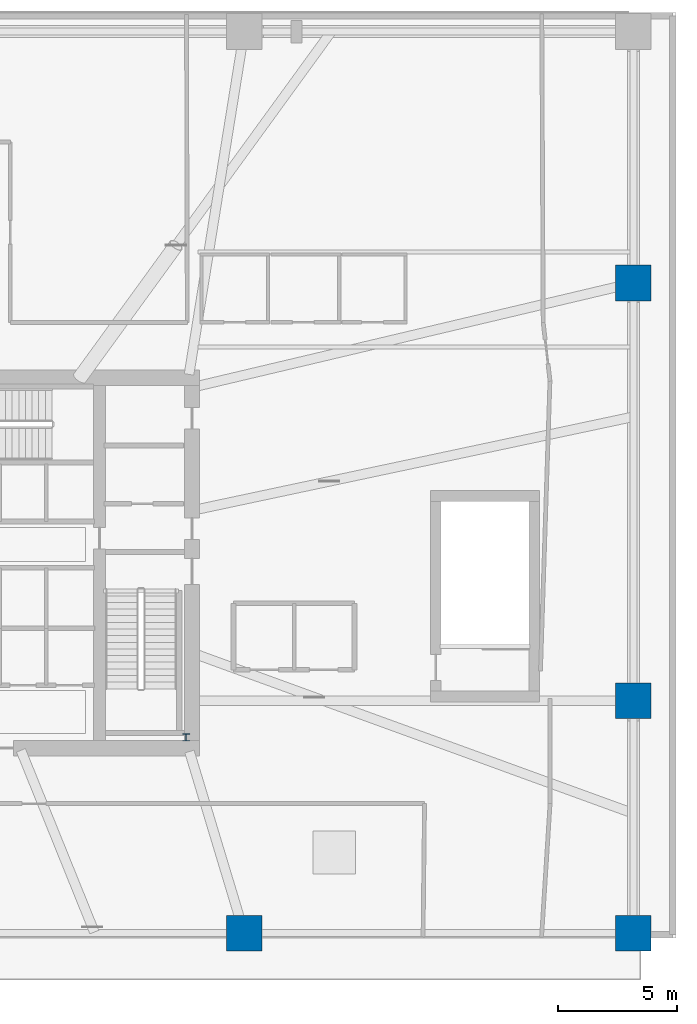
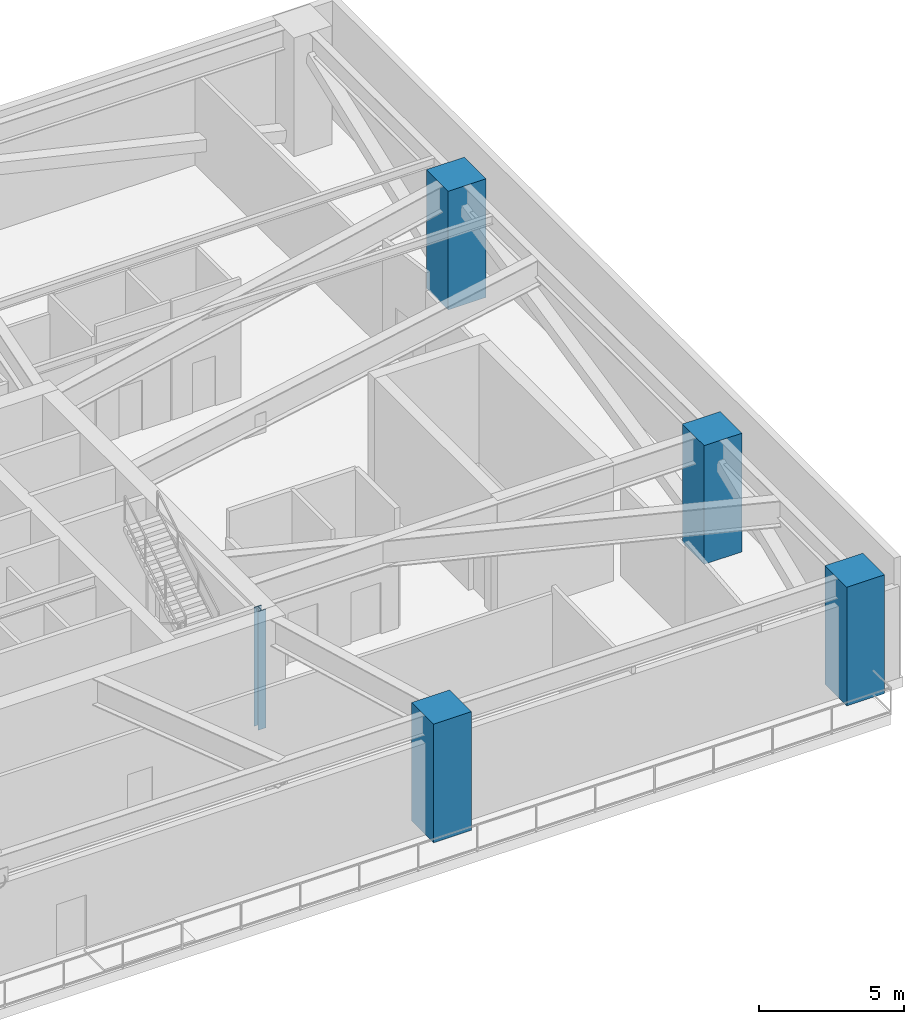
# One storey, part 2 of 10: 5 columns.
"""IFC4 building model written with IfcOpenShell, lengths in metres."""

import ifcopenshell
import ifcopenshell.guid

model = None  # the IFC model being written
_history = None  # IfcOwnerHistory: only IFC2X3 demands one
_inside = {}  # id of a spatial element -> (the spatial element, [elements in it])
_under = {}  # id of a project, library or spatial element -> (it, [spatial elements below it])
_declared = {}  # id of a project -> (the project, [libraries it declares])
_typed = {}  # id of a type object -> (the type object, [elements of that type])
_made_of = {}  # id of a material, layer set ... -> (it, [elements and type objects made of it])


def new_model(schema):
    """Start an empty IFC model of exactly this schema.

    Asked for "IFC4X3", IfcOpenShell would pick the latest addendum, in which some entities
    have other attributes; the version numbers below select the first issue.
    IFC2X3 requires an IfcOwnerHistory on every rooted entity: one is made here for all.
    """
    global model, _history
    if schema == "IFC4X3":
        model = ifcopenshell.file(schema_version=(4, 3, 0, 0))
    else:
        model = ifcopenshell.file(schema=schema)
    _inside.clear()
    _under.clear()
    _declared.clear()
    _typed.clear()
    _made_of.clear()
    _history = None
    if model.schema == "IFC2X3":
        org = make("IfcOrganization", Name="unknown")
        user = make(
            "IfcPersonAndOrganization",
            ThePerson=make("IfcPerson", FamilyName="unknown"),
            TheOrganization=org,
        )
        app = make(
            "IfcApplication",
            ApplicationDeveloper=org,
            Version="unknown",
            ApplicationFullName="unknown",
            ApplicationIdentifier="unknown",
        )
        _history = make(
            "IfcOwnerHistory",
            OwningUser=user,
            OwningApplication=app,
            ChangeAction="ADDED",
            CreationDate=0,
        )
    return model


def make(cls, **values):
    """One entity of the class cls with the attributes given. An attribute that is None is left unset."""
    return model.create_entity(
        cls, **{name: value for name, value in values.items() if value is not None}
    )


def rooted(cls, **values):
    """An entity with a GlobalId (a new one), such as an element, a storey or a relation."""
    return make(cls, GlobalId=ifcopenshell.guid.new(), OwnerHistory=_history, **values)


def si_unit(unit_type, name, prefix=None):
    """IfcSIUnit, for example si_unit("LENGTHUNIT", "METRE", prefix="MILLI")."""
    return make("IfcSIUnit", UnitType=unit_type, Prefix=prefix, Name=name)


def assignment(units):
    """IfcUnitAssignment: the units of a project."""
    return None if units is None else make("IfcUnitAssignment", Units=units)


def point(xyz):
    """IfcCartesianPoint."""
    return None if xyz is None else make("IfcCartesianPoint", Coordinates=xyz)


def direction(xyz):
    """IfcDirection."""
    return None if xyz is None else make("IfcDirection", DirectionRatios=xyz)


def frame(location, z_axis=None, x_axis=None):
    """IfcAxis2Placement3D, a coordinate frame: its origin and axes. An axis left out is left unset."""
    return make(
        "IfcAxis2Placement3D",
        Location=point(location),
        Axis=direction(z_axis),
        RefDirection=direction(x_axis),
    )


def frame_2d(location, x_axis=None):
    """IfcAxis2Placement2D, a coordinate frame in the plane: its origin and x axis."""
    return make(
        "IfcAxis2Placement2D", Location=point(location), RefDirection=direction(x_axis)
    )


def origin():
    """The frame at (0, 0, 0) with its axes left unset."""
    return frame((0.0, 0.0, 0.0))


def origin_2d():
    """The frame at (0, 0) in the plane with its x axis left unset."""
    return frame_2d((0.0, 0.0))


def place(relative_to, where):
    """IfcLocalPlacement: puts the frame where relative to a parent placement (None: the world)."""
    return make(
        "IfcLocalPlacement", PlacementRelTo=relative_to, RelativePlacement=where
    )


def context(
    kind, dimensions, precision=None, world=None, true_north=None, identifier=None
):
    """IfcGeometricRepresentationContext, for example the 3D "Model" context."""
    return make(
        "IfcGeometricRepresentationContext",
        ContextIdentifier=identifier,
        ContextType=kind,
        CoordinateSpaceDimension=dimensions,
        Precision=precision,
        WorldCoordinateSystem=world,
        TrueNorth=true_north,
    )


def subcontext(parent, identifier, kind, view, scale=None):
    """IfcGeometricRepresentationSubContext, for example "Body" below "Model"."""
    return make(
        "IfcGeometricRepresentationSubContext",
        ContextIdentifier=identifier,
        ContextType=kind,
        ParentContext=parent,
        TargetScale=scale,
        TargetView=view,
    )


def project(units=None, contexts=None):
    """IfcProject with its units and contexts."""
    return rooted(
        "IfcProject",
        Name="project",
        RepresentationContexts=contexts,
        UnitsInContext=assignment(units),
    )


def spatial(cls, under=None, at=None, **own):
    """A site, building, storey or space (cls), placed at a placement, below another one or the project."""
    s = rooted(cls, ObjectPlacement=at, **own)
    if under is not None:
        _under.setdefault(under.id(), (under, []))[1].append(s)
    return s


def profile(cls, at=None, kind="AREA", **sizes):
    """A parametric profile (cls). Its sizes go by their IFC names, for example OverallWidth=200.0."""
    return make(cls, ProfileType=kind, Position=at, **sizes)


def rectangle(**sizes):
    """IfcRectangleProfileDef."""
    return profile("IfcRectangleProfileDef", **sizes)


def i_section(**sizes):
    """IfcIShapeProfileDef."""
    return profile("IfcIShapeProfileDef", **sizes)


def extrude(swept, where, along, depth):
    """IfcExtrudedAreaSolid: the profile swept, set in the frame where, extruded along a direction by depth."""
    return make(
        "IfcExtrudedAreaSolid",
        SweptArea=swept,
        Position=where,
        ExtrudedDirection=direction(along),
        Depth=depth,
    )


def shape(context_of_items, identifier, shape_type, items):
    """IfcShapeRepresentation: the items that make up one representation, for example the "Body"."""
    return make(
        "IfcShapeRepresentation",
        ContextOfItems=context_of_items,
        RepresentationIdentifier=identifier,
        RepresentationType=shape_type,
        Items=items,
    )


def material(Name=None, Category=None):
    """IfcMaterial."""
    return make("IfcMaterial", Name=Name, Category=Category)


def material_profile(
    of_material, cross_section, Name=None, Category=None, Priority=None
):
    """IfcMaterialProfile: a cross section and its material."""
    return make(
        "IfcMaterialProfile",
        Name=Name,
        Material=of_material,
        Profile=cross_section,
        Priority=Priority,
        Category=Category,
    )


def profile_set(profiles, Name=None, composite=None):
    """IfcMaterialProfileSet."""
    return make(
        "IfcMaterialProfileSet",
        Name=Name,
        MaterialProfiles=profiles,
        CompositeProfile=composite,
    )


def made_of(thing, what):
    """Note that an element or type object is made of a material, layer set ...; save() writes the relation."""
    if what is not None:
        _made_of.setdefault(what.id(), (what, []))[1].append(thing)
    return thing


def type_object(cls, material=None, **own):
    """A type object (cls), such as IfcWallType, which elements share."""
    return made_of(rooted(cls, **own), material)


def element(
    cls,
    number,
    at=None,
    inside=None,
    cuts=None,
    type_object=None,
    material=None,
    context=None,
    identifier="Body",
    shape_type=None,
    held_by="IfcProductDefinitionShape",
    body=None,
    shapes=None,
    **own,
):
    """One element of the class cls, such as IfcWall. Its Tag is "e" and its number.

    at: its placement. inside: the storey or other place that contains it. cuts: it is an
    opening in that element (IfcRelVoidsElement). A single representation is given by context,
    identifier, shape_type and body (its items); several are given by shapes. held_by: the class
    of the entity that holds the representations. save() writes the other relations.
    """
    e = rooted(cls, Tag="e%d" % number, ObjectPlacement=at, **own)
    if body is not None:
        shapes = [shape(context, identifier, shape_type, body)]
    if shapes is not None:
        e.Representation = make(held_by, Representations=shapes)
    if inside is not None:
        _inside.setdefault(inside.id(), (inside, []))[1].append(e)
    if cuts is not None:
        rooted(
            "IfcRelVoidsElement", RelatingBuildingElement=cuts, RelatedOpeningElement=e
        )
    if type_object is not None:
        _typed.setdefault(type_object.id(), (type_object, []))[1].append(e)
    return made_of(e, material)


def aggregate(whole, parts):
    """IfcRelAggregates: a whole, such as a stair, and the parts it consists of."""
    return rooted("IfcRelAggregates", RelatingObject=whole, RelatedObjects=parts)


def save(model, path):
    """Write the relations noted so far, then the file.

    IfcRelAggregates (storeys below a building ...), IfcRelContainedInSpatialStructure (elements
    in a storey), IfcRelDefinesByType, IfcRelAssociatesMaterial and IfcRelDeclares: one each for
    every whole, place, type object, material and project.
    """
    for whole, parts in _under.values():
        aggregate(whole, parts)
    for where, things in _inside.values():
        rooted(
            "IfcRelContainedInSpatialStructure",
            RelatedElements=things,
            RelatingStructure=where,
        )
    for kind, things in _typed.values():
        rooted("IfcRelDefinesByType", RelatedObjects=things, RelatingType=kind)
    for what, things in _made_of.values():
        rooted("IfcRelAssociatesMaterial", RelatedObjects=things, RelatingMaterial=what)
    for by, libraries in _declared.values():
        rooted("IfcRelDeclares", RelatingContext=by, RelatedDefinitions=libraries)
    model.write(path)


model = new_model("IFC4")

# Units and contexts
model_context = context("Model", 3, precision=1e-05, world=origin(), true_north=direction((0.0, 1.0)))
body_context = subcontext(model_context, "Body", "Model", "MODEL_VIEW")
ifc_project = project(units=[si_unit("LENGTHUNIT", "METRE"), si_unit("AREAUNIT", "SQUARE_METRE"), si_unit("VOLUMEUNIT", "CUBIC_METRE"), si_unit("PLANEANGLEUNIT", "RADIAN"), si_unit("MASSUNIT", "GRAM", prefix="KILO")], contexts=[model_context])

# Site, building, storey
site_placement = place(None, origin())
site = spatial("IfcSite", under=ifc_project, at=site_placement, CompositionType="ELEMENT")
building_placement = place(site_placement, origin())
building = spatial("IfcBuilding", under=site, at=building_placement, Name="Qarnah Convention Tower", CompositionType="ELEMENT")
storey_placement = place(building_placement, frame((0.0, 0.0, 21.60009765625)))
storey = spatial("IfcBuildingStorey", under=building, at=storey_placement, Name="L04", CompositionType="ELEMENT", Elevation=21.60009765625)

# Columns
ifc_material_1 = material(Name="Concrete C60/75", Category="concrete")
ifc_material_profile_1 = material_profile(ifc_material_1, rectangle(XDim=1.5, YDim=1.5, at=origin_2d()), Name="RC-COL-1500X1500")
ifc_profile_set_1 = profile_set([ifc_material_profile_1], Name="Concrete C60/75")
column_type_1 = type_object("IfcColumnType", Name="COL-MC1500", PredefinedType="COLUMN", material=ifc_profile_set_1)
for number, where, z_axis, x_axis, name in (
    (1, (49.800048828125, 10.800048828125, 0.0), (0.0, 0.0, 1.0), (1.0, 0.0, 0.0), "L04 plumb column MC-03"),
    (2, (66.199951171875, 10.800048828125, 0.0), (0.0, 0.0, 1.0), (1.0, 0.0, 0.0), "L04 plumb column MC-04"),
    (3, (66.199951171875, 20.60009765625, 0.0), (0.0, 0.0, 1.0), (1.0, 0.0, 0.0), "L04 plumb column MC-05"),
    (4, (66.199951171875, 38.199951171875, 0.0), (0.0, 0.0, 1.0), (1.0, 0.0, 0.0), "L04 plumb column MC-06"),
):
    element("IfcColumn", number, at=place(storey_placement, frame(where, z_axis=z_axis, x_axis=x_axis)), inside=storey, type_object=column_type_1, Name=name, PredefinedType="COLUMN", context=body_context, shape_type="SweptSolid", body=[
        extrude(rectangle(XDim=1.5, YDim=1.5, at=origin_2d()), origin(), (0.0, 0.0, 1.0), 4.97998046875),
    ])
ifc_material_2 = material(Name="Structural steel S355JR", Category="steel")
ifc_material_profile_2 = material_profile(ifc_material_2, i_section(OverallWidth=0.300048828125, OverallDepth=0.300048828125, WebThickness=0.010986328125, FlangeThickness=0.01904296875, at=origin_2d()), Name="HEB300")
ifc_profile_set_2 = profile_set([ifc_material_profile_2], Name="Structural steel S355JR")
column_type_2 = type_object("IfcColumnType", Name="PIL-SHF-300", PredefinedType="PILASTER", material=ifc_profile_set_2)
column_placement = place(storey_placement, frame((47.35009765625, 19.050048828125, 0.0), z_axis=(0.0, 0.0, 1.0), x_axis=(1.0, 0.0, 0.0)))
element("IfcColumn", 5, at=column_placement, inside=storey, type_object=column_type_2, Name="L04 core spine steel pilaster 2", PredefinedType="PILASTER", context=body_context, shape_type="SweptSolid", body=[
    extrude(i_section(OverallWidth=0.300048828125, OverallDepth=0.300048828125, WebThickness=0.010986328125, FlangeThickness=0.01904296875, at=origin_2d()), origin(), (0.0, 0.0, 1.0), 4.97998046875),
])

save(model, "model.ifc")
